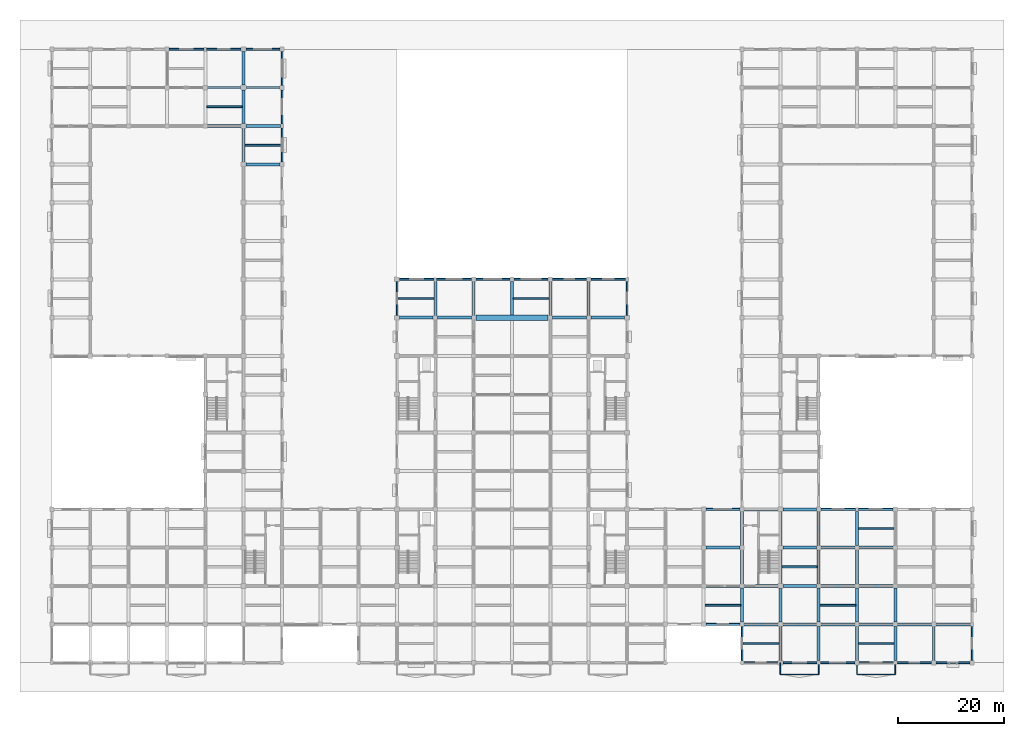
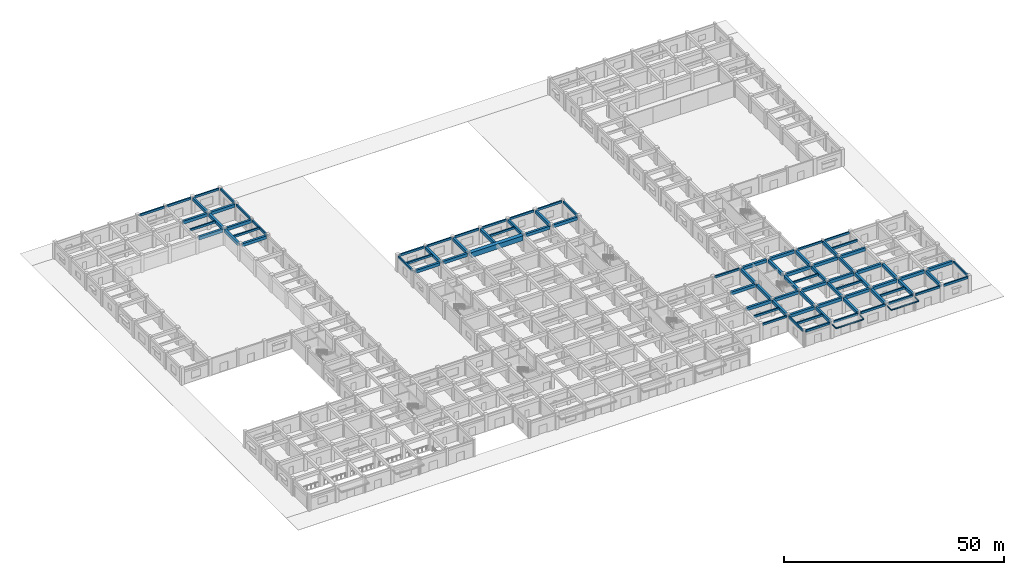
# One storey, part 5 of 37: 95 beams.
"""IFC4 building model written with IfcOpenShell, lengths in metres."""

import ifcopenshell
import ifcopenshell.guid

model = None  # the IFC model being written
_history = None  # IfcOwnerHistory: only IFC2X3 demands one
_inside = {}  # id of a spatial element -> (the spatial element, [elements in it])
_under = {}  # id of a project, library or spatial element -> (it, [spatial elements below it])
_declared = {}  # id of a project -> (the project, [libraries it declares])
_typed = {}  # id of a type object -> (the type object, [elements of that type])
_made_of = {}  # id of a material, layer set ... -> (it, [elements and type objects made of it])


def new_model(schema):
    """Start an empty IFC model of exactly this schema.

    Asked for "IFC4X3", IfcOpenShell would pick the latest addendum, in which some entities
    have other attributes; the version numbers below select the first issue.
    IFC2X3 requires an IfcOwnerHistory on every rooted entity: one is made here for all.
    """
    global model, _history
    if schema == "IFC4X3":
        model = ifcopenshell.file(schema_version=(4, 3, 0, 0))
    else:
        model = ifcopenshell.file(schema=schema)
    _inside.clear()
    _under.clear()
    _declared.clear()
    _typed.clear()
    _made_of.clear()
    _history = None
    if model.schema == "IFC2X3":
        org = make("IfcOrganization", Name="unknown")
        user = make(
            "IfcPersonAndOrganization",
            ThePerson=make("IfcPerson", FamilyName="unknown"),
            TheOrganization=org,
        )
        app = make(
            "IfcApplication",
            ApplicationDeveloper=org,
            Version="unknown",
            ApplicationFullName="unknown",
            ApplicationIdentifier="unknown",
        )
        _history = make(
            "IfcOwnerHistory",
            OwningUser=user,
            OwningApplication=app,
            ChangeAction="ADDED",
            CreationDate=0,
        )
    return model


def make(cls, **values):
    """One entity of the class cls with the attributes given. An attribute that is None is left unset."""
    return model.create_entity(
        cls, **{name: value for name, value in values.items() if value is not None}
    )


def rooted(cls, **values):
    """An entity with a GlobalId (a new one), such as an element, a storey or a relation."""
    return make(cls, GlobalId=ifcopenshell.guid.new(), OwnerHistory=_history, **values)


def si_unit(unit_type, name, prefix=None):
    """IfcSIUnit, for example si_unit("LENGTHUNIT", "METRE", prefix="MILLI")."""
    return make("IfcSIUnit", UnitType=unit_type, Prefix=prefix, Name=name)


def assignment(units):
    """IfcUnitAssignment: the units of a project."""
    return None if units is None else make("IfcUnitAssignment", Units=units)


def point(xyz):
    """IfcCartesianPoint."""
    return None if xyz is None else make("IfcCartesianPoint", Coordinates=xyz)


def direction(xyz):
    """IfcDirection."""
    return None if xyz is None else make("IfcDirection", DirectionRatios=xyz)


def frame(location, z_axis=None, x_axis=None):
    """IfcAxis2Placement3D, a coordinate frame: its origin and axes. An axis left out is left unset."""
    return make(
        "IfcAxis2Placement3D",
        Location=point(location),
        Axis=direction(z_axis),
        RefDirection=direction(x_axis),
    )


def frame_2d(location, x_axis=None):
    """IfcAxis2Placement2D, a coordinate frame in the plane: its origin and x axis."""
    return make(
        "IfcAxis2Placement2D", Location=point(location), RefDirection=direction(x_axis)
    )


def origin():
    """The frame at (0, 0, 0) with its axes left unset."""
    return frame((0.0, 0.0, 0.0))


def origin_2d():
    """The frame at (0, 0) in the plane with its x axis left unset."""
    return frame_2d((0.0, 0.0))


def place(relative_to, where):
    """IfcLocalPlacement: puts the frame where relative to a parent placement (None: the world)."""
    return make(
        "IfcLocalPlacement", PlacementRelTo=relative_to, RelativePlacement=where
    )


def context(
    kind, dimensions, precision=None, world=None, true_north=None, identifier=None
):
    """IfcGeometricRepresentationContext, for example the 3D "Model" context."""
    return make(
        "IfcGeometricRepresentationContext",
        ContextIdentifier=identifier,
        ContextType=kind,
        CoordinateSpaceDimension=dimensions,
        Precision=precision,
        WorldCoordinateSystem=world,
        TrueNorth=true_north,
    )


def subcontext(parent, identifier, kind, view, scale=None):
    """IfcGeometricRepresentationSubContext, for example "Body" below "Model"."""
    return make(
        "IfcGeometricRepresentationSubContext",
        ContextIdentifier=identifier,
        ContextType=kind,
        ParentContext=parent,
        TargetScale=scale,
        TargetView=view,
    )


def project(units=None, contexts=None):
    """IfcProject with its units and contexts."""
    return rooted(
        "IfcProject",
        Name="project",
        RepresentationContexts=contexts,
        UnitsInContext=assignment(units),
    )


def spatial(cls, under=None, at=None, **own):
    """A site, building, storey or space (cls), placed at a placement, below another one or the project."""
    s = rooted(cls, ObjectPlacement=at, **own)
    if under is not None:
        _under.setdefault(under.id(), (under, []))[1].append(s)
    return s


def profile(cls, at=None, kind="AREA", **sizes):
    """A parametric profile (cls). Its sizes go by their IFC names, for example OverallWidth=200.0."""
    return make(cls, ProfileType=kind, Position=at, **sizes)


def rectangle(**sizes):
    """IfcRectangleProfileDef."""
    return profile("IfcRectangleProfileDef", **sizes)


def i_section(**sizes):
    """IfcIShapeProfileDef."""
    return profile("IfcIShapeProfileDef", **sizes)


def extrude(swept, where, along, depth):
    """IfcExtrudedAreaSolid: the profile swept, set in the frame where, extruded along a direction by depth."""
    return make(
        "IfcExtrudedAreaSolid",
        SweptArea=swept,
        Position=where,
        ExtrudedDirection=direction(along),
        Depth=depth,
    )


def shape(context_of_items, identifier, shape_type, items):
    """IfcShapeRepresentation: the items that make up one representation, for example the "Body"."""
    return make(
        "IfcShapeRepresentation",
        ContextOfItems=context_of_items,
        RepresentationIdentifier=identifier,
        RepresentationType=shape_type,
        Items=items,
    )


def material(Name=None, Category=None):
    """IfcMaterial."""
    return make("IfcMaterial", Name=Name, Category=Category)


def material_profile(
    of_material, cross_section, Name=None, Category=None, Priority=None
):
    """IfcMaterialProfile: a cross section and its material."""
    return make(
        "IfcMaterialProfile",
        Name=Name,
        Material=of_material,
        Profile=cross_section,
        Priority=Priority,
        Category=Category,
    )


def profile_set(profiles, Name=None, composite=None):
    """IfcMaterialProfileSet."""
    return make(
        "IfcMaterialProfileSet",
        Name=Name,
        MaterialProfiles=profiles,
        CompositeProfile=composite,
    )


def made_of(thing, what):
    """Note that an element or type object is made of a material, layer set ...; save() writes the relation."""
    if what is not None:
        _made_of.setdefault(what.id(), (what, []))[1].append(thing)
    return thing


def type_object(cls, material=None, **own):
    """A type object (cls), such as IfcWallType, which elements share."""
    return made_of(rooted(cls, **own), material)


def element(
    cls,
    number,
    at=None,
    inside=None,
    cuts=None,
    type_object=None,
    material=None,
    context=None,
    identifier="Body",
    shape_type=None,
    held_by="IfcProductDefinitionShape",
    body=None,
    shapes=None,
    **own,
):
    """One element of the class cls, such as IfcWall. Its Tag is "e" and its number.

    at: its placement. inside: the storey or other place that contains it. cuts: it is an
    opening in that element (IfcRelVoidsElement). A single representation is given by context,
    identifier, shape_type and body (its items); several are given by shapes. held_by: the class
    of the entity that holds the representations. save() writes the other relations.
    """
    e = rooted(cls, Tag="e%d" % number, ObjectPlacement=at, **own)
    if body is not None:
        shapes = [shape(context, identifier, shape_type, body)]
    if shapes is not None:
        e.Representation = make(held_by, Representations=shapes)
    if inside is not None:
        _inside.setdefault(inside.id(), (inside, []))[1].append(e)
    if cuts is not None:
        rooted(
            "IfcRelVoidsElement", RelatingBuildingElement=cuts, RelatedOpeningElement=e
        )
    if type_object is not None:
        _typed.setdefault(type_object.id(), (type_object, []))[1].append(e)
    return made_of(e, material)


def aggregate(whole, parts):
    """IfcRelAggregates: a whole, such as a stair, and the parts it consists of."""
    return rooted("IfcRelAggregates", RelatingObject=whole, RelatedObjects=parts)


def save(model, path):
    """Write the relations noted so far, then the file.

    IfcRelAggregates (storeys below a building ...), IfcRelContainedInSpatialStructure (elements
    in a storey), IfcRelDefinesByType, IfcRelAssociatesMaterial and IfcRelDeclares: one each for
    every whole, place, type object, material and project.
    """
    for whole, parts in _under.values():
        aggregate(whole, parts)
    for where, things in _inside.values():
        rooted(
            "IfcRelContainedInSpatialStructure",
            RelatedElements=things,
            RelatingStructure=where,
        )
    for kind, things in _typed.values():
        rooted("IfcRelDefinesByType", RelatedObjects=things, RelatingType=kind)
    for what, things in _made_of.values():
        rooted("IfcRelAssociatesMaterial", RelatedObjects=things, RelatingMaterial=what)
    for by, libraries in _declared.values():
        rooted("IfcRelDeclares", RelatingContext=by, RelatedDefinitions=libraries)
    model.write(path)


model = new_model("IFC4")

# Units and contexts
model_context = context("Model", 3, precision=1e-05, world=origin(), true_north=direction((0.0, 1.0)))
body_context = subcontext(model_context, "Body", "Model", "MODEL_VIEW")
ifc_project = project(units=[si_unit("LENGTHUNIT", "METRE"), si_unit("AREAUNIT", "SQUARE_METRE"), si_unit("VOLUMEUNIT", "CUBIC_METRE"), si_unit("PLANEANGLEUNIT", "RADIAN"), si_unit("MASSUNIT", "GRAM", prefix="KILO")], contexts=[model_context])

# Site, building, storey
site_placement = place(None, origin())
site = spatial("IfcSite", under=ifc_project, at=site_placement, CompositionType="ELEMENT")
building_placement = place(site_placement, origin())
building = spatial("IfcBuilding", under=site, at=building_placement, Name="Cendaluz Park School", CompositionType="ELEMENT")
storey_placement = place(building_placement, origin())
storey = spatial("IfcBuildingStorey", under=building, at=storey_placement, Name="L00", CompositionType="ELEMENT", Elevation=0.0)

# Beams
ifc_material_1 = material(Name="Concrete C40/50", Category="concrete")
ifc_material_profile_1 = material_profile(ifc_material_1, rectangle(XDim=0.550048828125, YDim=0.85009765625, at=origin_2d()), Name="RC 550x850", Category="concrete")
ifc_profile_set_1 = profile_set([ifc_material_profile_1], Name="Concrete C40/50")
beam_type_1 = type_object("IfcBeamType", Name="BM-RC01", PredefinedType="BEAM", material=ifc_profile_set_1)
for number, where, z_axis, x_axis, name in (
    (1, (29.199951171875, 100.800048828125, 4.044921875), (1.0, 0.0, 0.0), (0.0, 1.0, 0.0), "BM-L00-BMRC01-0047"),
    (2, (29.199951171875, 108.0, 4.044921875), (1.0, 0.0, 0.0), (0.0, 1.0, 0.0), "BM-L00-BMRC01-0048"),
    (3, (36.449951171875, 93.60009765625, 4.044921875), (1.0, 0.0, 0.0), (0.0, 1.0, 0.0), "BM-L00-BMRC01-0062"),
):
    element("IfcBeam", number, at=place(storey_placement, frame(where, z_axis=z_axis, x_axis=x_axis)), inside=storey, type_object=beam_type_1, Name=name, PredefinedType="BEAM", context=body_context, shape_type="SweptSolid", body=[
        extrude(rectangle(XDim=0.550048828125, YDim=0.85009765625, at=origin_2d()), origin(), (0.0, 0.0, 1.0), 6.35009765625),
    ])
beam_1_placement = place(storey_placement, frame((36.449951171875, 100.800048828125, 4.044921875), z_axis=(1.0, 0.0, 0.0), x_axis=(0.0, 1.0, 0.0)))
element("IfcBeam", 4, at=beam_1_placement, inside=storey, type_object=beam_type_1, Name="BM-L00-BMRC01-0063", PredefinedType="BEAM", context=body_context, shape_type="SweptSolid", body=[
    extrude(rectangle(XDim=0.550048828125, YDim=0.85009765625, at=origin_2d()), origin(), (0.0, 0.0, 1.0), 6.5),
])
for number, where, z_axis, x_axis, name in (
    (5, (36.449951171875, 108.0, 4.044921875), (1.0, 0.0, 0.0), (0.0, 1.0, 0.0), "BM-L00-BMRC01-0064"),
    (6, (65.25, 64.800048828125, 4.044921875), (1.0, 0.0, 0.0), (0.0, 1.0, 0.0), "BM-L00-BMRC01-0086"),
):
    element("IfcBeam", number, at=place(storey_placement, frame(where, z_axis=z_axis, x_axis=x_axis)), inside=storey, type_object=beam_type_1, Name=name, PredefinedType="BEAM", context=body_context, shape_type="SweptSolid", body=[
        extrude(rectangle(XDim=0.550048828125, YDim=0.85009765625, at=origin_2d()), origin(), (0.0, 0.0, 1.0), 6.35009765625),
    ])
beam_2_placement = place(storey_placement, frame((72.39990234375, 64.800048828125, 4.044921875), z_axis=(1.0, 0.0, 0.0), x_axis=(0.0, 1.0, 0.0)))
element("IfcBeam", 7, at=beam_2_placement, inside=storey, type_object=beam_type_1, Name="BM-L00-BMRC01-0097", PredefinedType="BEAM", context=body_context, shape_type="SweptSolid", body=[
    extrude(rectangle(XDim=0.550048828125, YDim=0.85009765625, at=origin_2d()), origin(), (0.0, 0.0, 1.0), 6.400146484375),
])
beam_3_placement = place(storey_placement, frame((94.0, 64.800048828125, 4.044921875), z_axis=(1.0, 0.0, 0.0), x_axis=(0.0, 1.0, 0.0)))
element("IfcBeam", 8, at=beam_3_placement, inside=storey, type_object=beam_type_1, Name="BM-L00-BMRC01-0128", PredefinedType="BEAM", context=body_context, shape_type="SweptSolid", body=[
    extrude(rectangle(XDim=0.550048828125, YDim=0.85009765625, at=origin_2d()), origin(), (0.0, 0.0, 1.0), 6.35009765625),
])
beam_4_placement = place(storey_placement, frame((101.25, 64.800048828125, 4.044921875), z_axis=(1.0, 0.0, 0.0), x_axis=(0.0, 1.0, 0.0)))
element("IfcBeam", 9, at=beam_4_placement, inside=storey, type_object=beam_type_1, Name="BM-L00-BMRC01-0137", PredefinedType="BEAM", context=body_context, shape_type="SweptSolid", body=[
    extrude(rectangle(XDim=0.550048828125, YDim=0.85009765625, at=origin_2d()), origin(), (0.0, 0.0, 1.0), 6.300048828125),
])
for number, where, z_axis, x_axis, name in (
    (10, (122.800048828125, 14.39990234375, 4.044921875), (1.0, 0.0, 0.0), (0.0, 1.0, 0.0), "BM-L00-BMRC01-0149"),
    (11, (122.800048828125, 21.60009765625, 4.044921875), (1.0, 0.0, 0.0), (0.0, 1.0, 0.0), "BM-L00-BMRC01-0150"),
):
    element("IfcBeam", number, at=place(storey_placement, frame(where, z_axis=z_axis, x_axis=x_axis)), inside=storey, type_object=beam_type_1, Name=name, PredefinedType="BEAM", context=body_context, shape_type="SweptSolid", body=[
        extrude(rectangle(XDim=0.550048828125, YDim=0.85009765625, at=origin_2d()), origin(), (0.0, 0.0, 1.0), 6.39990234375),
    ])
for number, where, z_axis, x_axis, name in (
    (12, (130.0, 7.199951171875, 4.044921875), (1.0, 0.0, 0.0), (0.0, 1.0, 0.0), "BM-L00-BMRC01-0153"),
    (13, (130.0, 14.39990234375, 4.044921875), (1.0, 0.0, 0.0), (0.0, 1.0, 0.0), "BM-L00-BMRC01-0154"),
    (14, (130.0, 28.800048828125, 4.044921875), (1.0, 0.0, 0.0), (0.0, 1.0, 0.0), "BM-L00-BMRC01-0155"),
    (15, (137.25, 7.199951171875, 4.044921875), (1.0, 0.0, 0.0), (0.0, 1.0, 0.0), "BM-L00-BMRC01-0169"),
    (16, (137.25, 14.39990234375, 4.044921875), (1.0, 0.0, 0.0), (0.0, 1.0, 0.0), "BM-L00-BMRC01-0170"),
    (17, (137.25, 21.60009765625, 4.044921875), (1.0, 0.0, 0.0), (0.0, 1.0, 0.0), "BM-L00-BMRC01-0171"),
    (18, (137.25, 28.800048828125, 4.044921875), (1.0, 0.0, 0.0), (0.0, 1.0, 0.0), "BM-L00-BMRC01-0172"),
):
    element("IfcBeam", number, at=place(storey_placement, frame(where, z_axis=z_axis, x_axis=x_axis)), inside=storey, type_object=beam_type_1, Name=name, PredefinedType="BEAM", context=body_context, shape_type="SweptSolid", body=[
        extrude(rectangle(XDim=0.550048828125, YDim=0.85009765625, at=origin_2d()), origin(), (0.0, 0.0, 1.0), 6.35009765625),
    ])
for number, where, z_axis, x_axis, name in (
    (19, (144.39990234375, 7.199951171875, 4.044921875), (1.0, 0.0, 0.0), (0.0, 1.0, 0.0), "BM-L00-BMRC01-0180"),
    (20, (144.39990234375, 14.39990234375, 4.044921875), (1.0, 0.0, 0.0), (0.0, 1.0, 0.0), "BM-L00-BMRC01-0181"),
    (21, (144.39990234375, 21.60009765625, 4.044921875), (1.0, 0.0, 0.0), (0.0, 1.0, 0.0), "BM-L00-BMRC01-0182"),
):
    element("IfcBeam", number, at=place(storey_placement, frame(where, z_axis=z_axis, x_axis=x_axis)), inside=storey, type_object=beam_type_1, Name=name, PredefinedType="BEAM", context=body_context, shape_type="SweptSolid", body=[
        extrude(rectangle(XDim=0.550048828125, YDim=0.85009765625, at=origin_2d()), origin(), (0.0, 0.0, 1.0), 6.400146484375),
    ])
for number, where, z_axis, x_axis, name in (
    (22, (151.60009765625, 7.199951171875, 4.044921875), (1.0, 0.0, 0.0), (0.0, 1.0, 0.0), "BM-L00-BMRC01-0188"),
    (23, (151.60009765625, 14.39990234375, 4.044921875), (1.0, 0.0, 0.0), (0.0, 1.0, 0.0), "BM-L00-BMRC01-0189"),
    (24, (151.60009765625, 21.60009765625, 4.044921875), (1.0, 0.0, 0.0), (0.0, 1.0, 0.0), "BM-L00-BMRC01-0190"),
):
    element("IfcBeam", number, at=place(storey_placement, frame(where, z_axis=z_axis, x_axis=x_axis)), inside=storey, type_object=beam_type_1, Name=name, PredefinedType="BEAM", context=body_context, shape_type="SweptSolid", body=[
        extrude(rectangle(XDim=0.550048828125, YDim=0.85009765625, at=origin_2d()), origin(), (0.0, 0.0, 1.0), 6.39990234375),
    ])
beam_5_placement = place(storey_placement, frame((158.800048828125, 7.199951171875, 4.044921875), z_axis=(1.0, 0.0, 0.0), x_axis=(0.0, 1.0, 0.0)))
element("IfcBeam", 25, at=beam_5_placement, inside=storey, type_object=beam_type_1, Name="BM-L00-BMRC01-0196", PredefinedType="BEAM", context=body_context, shape_type="SweptSolid", body=[
    extrude(rectangle(XDim=0.550048828125, YDim=0.85009765625, at=origin_2d()), origin(), (0.0, 0.0, 1.0), 6.349853515625),
])
beam_6_placement = place(storey_placement, frame((166.050048828125, 7.199951171875, 4.044921875), z_axis=(1.0, 0.0, 0.0), x_axis=(0.0, 1.0, 0.0)))
element("IfcBeam", 26, at=beam_6_placement, inside=storey, type_object=beam_type_1, Name="BM-L00-BMRC01-0204", PredefinedType="BEAM", context=body_context, shape_type="SweptSolid", body=[
    extrude(rectangle(XDim=0.550048828125, YDim=0.85009765625, at=origin_2d()), origin(), (0.0, 0.0, 1.0), 6.5),
])
for number, where, z_axis, x_axis, name in (
    (27, (36.0, 94.050048828125, 4.044921875), (0.0, 1.0, 0.0), (-1.0, 0.0, 0.0), "BM-L00-BMRC01-0276"),
    (28, (36.0, 101.25, 4.044921875), (0.0, 1.0, 0.0), (-1.0, 0.0, 0.0), "BM-L00-BMRC01-0277"),
    (29, (36.0, 108.449951171875, 4.044921875), (0.0, 1.0, 0.0), (-1.0, 0.0, 0.0), "BM-L00-BMRC01-0278"),
):
    element("IfcBeam", number, at=place(storey_placement, frame(where, z_axis=z_axis, x_axis=x_axis)), inside=storey, type_object=beam_type_1, Name=name, PredefinedType="BEAM", context=body_context, shape_type="SweptSolid", body=[
        extrude(rectangle(XDim=0.550048828125, YDim=0.85009765625, at=origin_2d()), origin(), (0.0, 0.0, 1.0), 6.300048828125),
    ])
beam_7_placement = place(storey_placement, frame((72.0, 65.199951171875, 4.044921875), z_axis=(0.0, 1.0, 0.0), x_axis=(-1.0, 0.0, 0.0)))
element("IfcBeam", 30, at=beam_7_placement, inside=storey, type_object=beam_type_1, Name="BM-L00-BMRC01-0321", PredefinedType="BEAM", context=body_context, shape_type="SweptSolid", body=[
    extrude(rectangle(XDim=0.550048828125, YDim=0.85009765625, at=origin_2d()), origin(), (0.0, 0.0, 1.0), 6.425048828125),
])
for number, where, z_axis, x_axis, name in (
    (31, (79.199951171875, 65.199951171875, 4.044921875), (0.0, 1.0, 0.0), (-1.0, 0.0, 0.0), "BM-L00-BMRC01-0331"),
    (32, (93.60009765625, 65.199951171875, 4.044921875), (0.0, 1.0, 0.0), (-1.0, 0.0, 0.0), "BM-L00-BMRC01-0349"),
):
    element("IfcBeam", number, at=place(storey_placement, frame(where, z_axis=z_axis, x_axis=x_axis)), inside=storey, type_object=beam_type_1, Name=name, PredefinedType="BEAM", context=body_context, shape_type="SweptSolid", body=[
        extrude(rectangle(XDim=0.550048828125, YDim=0.85009765625, at=origin_2d()), origin(), (0.0, 0.0, 1.0), 6.400146484375),
    ])
beam_8_placement = place(storey_placement, frame((100.800048828125, 65.25, 4.044921875), z_axis=(0.0, 1.0, 0.0), x_axis=(-1.0, 0.0, 0.0)))
element("IfcBeam", 33, at=beam_8_placement, inside=storey, type_object=beam_type_1, Name="BM-L00-BMRC01-0359", PredefinedType="BEAM", context=body_context, shape_type="SweptSolid", body=[
    extrude(rectangle(XDim=0.550048828125, YDim=0.85009765625, at=origin_2d()), origin(), (0.0, 0.0, 1.0), 6.300048828125),
])
for number, where, z_axis, x_axis, name in (
    (34, (129.60009765625, 7.60009765625, 4.044921875), (0.0, 1.0, 0.0), (-1.0, 0.0, 0.0), "BM-L00-BMRC01-0378"),
    (35, (129.60009765625, 14.800048828125, 4.044921875), (0.0, 1.0, 0.0), (-1.0, 0.0, 0.0), "BM-L00-BMRC01-0379"),
    (36, (129.60009765625, 22.0, 4.044921875), (0.0, 1.0, 0.0), (-1.0, 0.0, 0.0), "BM-L00-BMRC01-0380"),
):
    element("IfcBeam", number, at=place(storey_placement, frame(where, z_axis=z_axis, x_axis=x_axis)), inside=storey, type_object=beam_type_1, Name=name, PredefinedType="BEAM", context=body_context, shape_type="SweptSolid", body=[
        extrude(rectangle(XDim=0.550048828125, YDim=0.85009765625, at=origin_2d()), origin(), (0.0, 0.0, 1.0), 6.39990234375),
    ])
for number, where, z_axis, x_axis, name in (
    (37, (136.800048828125, 0.449951171875, 4.044921875), (0.0, 1.0, 0.0), (-1.0, 0.0, 0.0), "BM-L00-BMRC01-0393"),
    (38, (136.800048828125, 7.64990234375, 4.044921875), (0.0, 1.0, 0.0), (-1.0, 0.0, 0.0), "BM-L00-BMRC01-0394"),
):
    element("IfcBeam", number, at=place(storey_placement, frame(where, z_axis=z_axis, x_axis=x_axis)), inside=storey, type_object=beam_type_1, Name=name, PredefinedType="BEAM", context=body_context, shape_type="SweptSolid", body=[
        extrude(rectangle(XDim=0.550048828125, YDim=0.85009765625, at=origin_2d()), origin(), (0.0, 0.0, 1.0), 6.300048828125),
    ])
beam_9_placement = place(storey_placement, frame((136.800048828125, 14.85009765625, 4.044921875), z_axis=(0.0, 1.0, 0.0), x_axis=(-1.0, 0.0, 0.0)))
element("IfcBeam", 39, at=beam_9_placement, inside=storey, type_object=beam_type_1, Name="BM-L00-BMRC01-0395", PredefinedType="BEAM", context=body_context, shape_type="SweptSolid", body=[
    extrude(rectangle(XDim=0.550048828125, YDim=0.85009765625, at=origin_2d()), origin(), (0.0, 0.0, 1.0), 6.2998046875),
])
beam_10_placement = place(storey_placement, frame((136.800048828125, 22.050048828125, 4.044921875), z_axis=(0.0, 1.0, 0.0), x_axis=(-1.0, 0.0, 0.0)))
element("IfcBeam", 40, at=beam_10_placement, inside=storey, type_object=beam_type_1, Name="BM-L00-BMRC01-0396", PredefinedType="BEAM", context=body_context, shape_type="SweptSolid", body=[
    extrude(rectangle(XDim=0.550048828125, YDim=0.85009765625, at=origin_2d()), origin(), (0.0, 0.0, 1.0), 6.300048828125),
])
beam_11_placement = place(storey_placement, frame((144.0, 0.375, 4.044921875), z_axis=(0.0, 1.0, 0.0), x_axis=(-1.0, 0.0, 0.0)))
element("IfcBeam", 41, at=beam_11_placement, inside=storey, type_object=beam_type_1, Name="BM-L00-BMRC01-0409", PredefinedType="BEAM", context=body_context, shape_type="SweptSolid", body=[
    extrude(rectangle(XDim=0.550048828125, YDim=0.85009765625, at=origin_2d()), origin(), (0.0, 0.0, 1.0), 6.425048828125),
])
for number, where, z_axis, x_axis, name in (
    (42, (144.0, 7.60009765625, 4.044921875), (0.0, 1.0, 0.0), (-1.0, 0.0, 0.0), "BM-L00-BMRC01-0410"),
    (43, (144.0, 14.800048828125, 4.044921875), (0.0, 1.0, 0.0), (-1.0, 0.0, 0.0), "BM-L00-BMRC01-0411"),
    (44, (144.0, 22.0, 4.044921875), (0.0, 1.0, 0.0), (-1.0, 0.0, 0.0), "BM-L00-BMRC01-0412"),
):
    element("IfcBeam", number, at=place(storey_placement, frame(where, z_axis=z_axis, x_axis=x_axis)), inside=storey, type_object=beam_type_1, Name=name, PredefinedType="BEAM", context=body_context, shape_type="SweptSolid", body=[
        extrude(rectangle(XDim=0.550048828125, YDim=0.85009765625, at=origin_2d()), origin(), (0.0, 0.0, 1.0), 6.39990234375),
    ])
beam_12_placement = place(storey_placement, frame((151.199951171875, 0.39990234375, 4.044921875), z_axis=(0.0, 1.0, 0.0), x_axis=(-1.0, 0.0, 0.0)))
element("IfcBeam", 45, at=beam_12_placement, inside=storey, type_object=beam_type_1, Name="BM-L00-BMRC01-0419", PredefinedType="BEAM", context=body_context, shape_type="SweptSolid", body=[
    extrude(rectangle(XDim=0.550048828125, YDim=0.85009765625, at=origin_2d()), origin(), (0.0, 0.0, 1.0), 6.400146484375),
])
for number, where, z_axis, x_axis, name in (
    (46, (151.199951171875, 7.60009765625, 4.044921875), (0.0, 1.0, 0.0), (-1.0, 0.0, 0.0), "BM-L00-BMRC01-0420"),
    (47, (151.199951171875, 14.800048828125, 4.044921875), (0.0, 1.0, 0.0), (-1.0, 0.0, 0.0), "BM-L00-BMRC01-0421"),
):
    element("IfcBeam", number, at=place(storey_placement, frame(where, z_axis=z_axis, x_axis=x_axis)), inside=storey, type_object=beam_type_1, Name=name, PredefinedType="BEAM", context=body_context, shape_type="SweptSolid", body=[
        extrude(rectangle(XDim=0.550048828125, YDim=0.85009765625, at=origin_2d()), origin(), (0.0, 0.0, 1.0), 6.39990234375),
    ])
for number, where, z_axis, x_axis, name in (
    (48, (151.199951171875, 22.0, 4.044921875), (0.0, 1.0, 0.0), (-1.0, 0.0, 0.0), "BM-L00-BMRC01-0422"),
    (49, (158.39990234375, 0.375, 4.044921875), (0.0, 1.0, 0.0), (-1.0, 0.0, 0.0), "BM-L00-BMRC01-0425"),
):
    element("IfcBeam", number, at=place(storey_placement, frame(where, z_axis=z_axis, x_axis=x_axis)), inside=storey, type_object=beam_type_1, Name=name, PredefinedType="BEAM", context=body_context, shape_type="SweptSolid", body=[
        extrude(rectangle(XDim=0.550048828125, YDim=0.85009765625, at=origin_2d()), origin(), (0.0, 0.0, 1.0), 6.425048828125),
    ])
beam_13_placement = place(storey_placement, frame((158.39990234375, 7.60009765625, 4.044921875), z_axis=(0.0, 1.0, 0.0), x_axis=(-1.0, 0.0, 0.0)))
element("IfcBeam", 50, at=beam_13_placement, inside=storey, type_object=beam_type_1, Name="BM-L00-BMRC01-0426", PredefinedType="BEAM", context=body_context, shape_type="SweptSolid", body=[
    extrude(rectangle(XDim=0.550048828125, YDim=0.85009765625, at=origin_2d()), origin(), (0.0, 0.0, 1.0), 6.39990234375),
])
for number, where, z_axis, x_axis, name in (
    (51, (165.60009765625, 0.449951171875, 4.044921875), (0.0, 1.0, 0.0), (-1.0, 0.0, 0.0), "BM-L00-BMRC01-0431"),
    (52, (86.39990234375, 65.300048828125, 4.044921875), (0.0, 1.0, 0.0), (-1.0, 0.0, 0.0), "BM-L00-BMRC01-0457"),
):
    element("IfcBeam", number, at=place(storey_placement, frame(where, z_axis=z_axis, x_axis=x_axis)), inside=storey, type_object=beam_type_1, Name=name, PredefinedType="BEAM", context=body_context, shape_type="SweptSolid", body=[
        extrude(rectangle(XDim=0.550048828125, YDim=0.85009765625, at=origin_2d()), origin(), (0.0, 0.0, 1.0), 6.300048828125),
    ])
ifc_material_profile_2 = material_profile(ifc_material_1, rectangle(XDim=0.35009765625, YDim=0.580078125, at=origin_2d()), Name="RC 350x580", Category="concrete")
ifc_profile_set_2 = profile_set([ifc_material_profile_2], Name="Concrete C40/50")
beam_type_2 = type_object("IfcBeamType", Name="BM-RC04", PredefinedType="LINTEL", material=ifc_profile_set_2)
beam_14_placement = place(storey_placement, frame((22.0, 115.199951171875, 4.179931640625), z_axis=(1.0, 0.0, 0.0), x_axis=(0.0, 1.0, 0.0)))
element("IfcBeam", 53, at=beam_14_placement, inside=storey, type_object=beam_type_2, Name="BM-L00-BMRC04-0038", PredefinedType="LINTEL", context=body_context, shape_type="SweptSolid", body=[
    extrude(rectangle(XDim=0.35009765625, YDim=0.580078125, at=origin_2d()), origin(), (0.0, 0.0, 1.0), 6.550048828125),
])
beam_15_placement = place(storey_placement, frame((29.050048828125, 115.199951171875, 4.179931640625), z_axis=(1.0, 0.0, 0.0), x_axis=(0.0, 1.0, 0.0)))
element("IfcBeam", 54, at=beam_15_placement, inside=storey, type_object=beam_type_2, Name="BM-L00-BMRC04-0049", PredefinedType="LINTEL", context=body_context, shape_type="SweptSolid", body=[
    extrude(rectangle(XDim=0.35009765625, YDim=0.580078125, at=origin_2d()), origin(), (0.0, 0.0, 1.0), 6.5),
])
beam_16_placement = place(storey_placement, frame((36.449951171875, 115.199951171875, 4.179931640625), z_axis=(1.0, 0.0, 0.0), x_axis=(0.0, 1.0, 0.0)))
element("IfcBeam", 55, at=beam_16_placement, inside=storey, type_object=beam_type_2, Name="BM-L00-BMRC04-0065", PredefinedType="LINTEL", context=body_context, shape_type="SweptSolid", body=[
    extrude(rectangle(XDim=0.35009765625, YDim=0.580078125, at=origin_2d()), origin(), (0.0, 0.0, 1.0), 6.35009765625),
])
beam_17_placement = place(storey_placement, frame((65.25, 72.0, 4.179931640625), z_axis=(1.0, 0.0, 0.0), x_axis=(0.0, 1.0, 0.0)))
element("IfcBeam", 56, at=beam_17_placement, inside=storey, type_object=beam_type_2, Name="BM-L00-BMRC04-0087", PredefinedType="LINTEL", context=body_context, shape_type="SweptSolid", body=[
    extrude(rectangle(XDim=0.35009765625, YDim=0.580078125, at=origin_2d()), origin(), (0.0, 0.0, 1.0), 6.5),
])
beam_18_placement = place(storey_placement, frame((72.25, 72.0, 4.179931640625), z_axis=(1.0, 0.0, 0.0), x_axis=(0.0, 1.0, 0.0)))
element("IfcBeam", 57, at=beam_18_placement, inside=storey, type_object=beam_type_2, Name="BM-L00-BMRC04-0098", PredefinedType="LINTEL", context=body_context, shape_type="SweptSolid", body=[
    extrude(rectangle(XDim=0.35009765625, YDim=0.580078125, at=origin_2d()), origin(), (0.0, 0.0, 1.0), 6.550048828125),
])
for number, where, z_axis, x_axis, name in (
    (58, (79.60009765625, 72.0, 4.179931640625), (1.0, 0.0, 0.0), (0.0, 1.0, 0.0), "BM-L00-BMRC04-0108"),
    (59, (86.800048828125, 72.0, 4.179931640625), (1.0, 0.0, 0.0), (0.0, 1.0, 0.0), "BM-L00-BMRC04-0118"),
):
    element("IfcBeam", number, at=place(storey_placement, frame(where, z_axis=z_axis, x_axis=x_axis)), inside=storey, type_object=beam_type_2, Name=name, PredefinedType="LINTEL", context=body_context, shape_type="SweptSolid", body=[
        extrude(rectangle(XDim=0.35009765625, YDim=0.580078125, at=origin_2d()), origin(), (0.0, 0.0, 1.0), 6.39990234375),
    ])
beam_19_placement = place(storey_placement, frame((94.0, 72.0, 4.179931640625), z_axis=(1.0, 0.0, 0.0), x_axis=(0.0, 1.0, 0.0)))
element("IfcBeam", 60, at=beam_19_placement, inside=storey, type_object=beam_type_2, Name="BM-L00-BMRC04-0129", PredefinedType="LINTEL", context=body_context, shape_type="SweptSolid", body=[
    extrude(rectangle(XDim=0.35009765625, YDim=0.580078125, at=origin_2d()), origin(), (0.0, 0.0, 1.0), 6.35009765625),
])
beam_20_placement = place(storey_placement, frame((101.25, 72.0, 4.179931640625), z_axis=(1.0, 0.0, 0.0), x_axis=(0.0, 1.0, 0.0)))
element("IfcBeam", 61, at=beam_20_placement, inside=storey, type_object=beam_type_2, Name="BM-L00-BMRC04-0138", PredefinedType="LINTEL", context=body_context, shape_type="SweptSolid", body=[
    extrude(rectangle(XDim=0.35009765625, YDim=0.580078125, at=origin_2d()), origin(), (0.0, 0.0, 1.0), 6.5),
])
for number, where, z_axis, x_axis, name in (
    (62, (122.800048828125, 7.199951171875, 4.179931640625), (1.0, 0.0, 0.0), (0.0, 1.0, 0.0), "BM-L00-BMRC04-0148"),
    (63, (122.800048828125, 28.800048828125, 4.179931640625), (1.0, 0.0, 0.0), (0.0, 1.0, 0.0), "BM-L00-BMRC04-0151"),
):
    element("IfcBeam", number, at=place(storey_placement, frame(where, z_axis=z_axis, x_axis=x_axis)), inside=storey, type_object=beam_type_2, Name=name, PredefinedType="LINTEL", context=body_context, shape_type="SweptSolid", body=[
        extrude(rectangle(XDim=0.35009765625, YDim=0.580078125, at=origin_2d()), origin(), (0.0, 0.0, 1.0), 6.39990234375),
    ])
for number, where, z_axis, x_axis, name in (
    (64, (129.97509765625, 0.0, 4.179931640625), (1.0, 0.0, 0.0), (0.0, 1.0, 0.0), "BM-L00-BMRC04-0152"),
    (65, (137.25, 0.0, 4.179931640625), (1.0, 0.0, 0.0), (0.0, 1.0, 0.0), "BM-L00-BMRC04-0168"),
):
    element("IfcBeam", number, at=place(storey_placement, frame(where, z_axis=z_axis, x_axis=x_axis)), inside=storey, type_object=beam_type_2, Name=name, PredefinedType="LINTEL", context=body_context, shape_type="SweptSolid", body=[
        extrude(rectangle(XDim=0.35009765625, YDim=0.580078125, at=origin_2d()), origin(), (0.0, 0.0, 1.0), 6.375),
    ])
beam_21_placement = place(storey_placement, frame((144.375, 0.0, 4.179931640625), z_axis=(1.0, 0.0, 0.0), x_axis=(0.0, 1.0, 0.0)))
element("IfcBeam", 66, at=beam_21_placement, inside=storey, type_object=beam_type_2, Name="BM-L00-BMRC04-0179", PredefinedType="LINTEL", context=body_context, shape_type="SweptSolid", body=[
    extrude(rectangle(XDim=0.35009765625, YDim=0.580078125, at=origin_2d()), origin(), (0.0, 0.0, 1.0), 6.425048828125),
])
beam_22_placement = place(storey_placement, frame((144.39990234375, 28.800048828125, 4.179931640625), z_axis=(1.0, 0.0, 0.0), x_axis=(0.0, 1.0, 0.0)))
element("IfcBeam", 67, at=beam_22_placement, inside=storey, type_object=beam_type_2, Name="BM-L00-BMRC04-0183", PredefinedType="LINTEL", context=body_context, shape_type="SweptSolid", body=[
    extrude(rectangle(XDim=0.35009765625, YDim=0.580078125, at=origin_2d()), origin(), (0.0, 0.0, 1.0), 6.550048828125),
])
beam_23_placement = place(storey_placement, frame((151.60009765625, 0.0, 4.179931640625), z_axis=(1.0, 0.0, 0.0), x_axis=(0.0, 1.0, 0.0)))
element("IfcBeam", 68, at=beam_23_placement, inside=storey, type_object=beam_type_2, Name="BM-L00-BMRC04-0187", PredefinedType="LINTEL", context=body_context, shape_type="SweptSolid", body=[
    extrude(rectangle(XDim=0.35009765625, YDim=0.580078125, at=origin_2d()), origin(), (0.0, 0.0, 1.0), 6.4248046875),
])
beam_24_placement = place(storey_placement, frame((151.449951171875, 28.800048828125, 4.179931640625), z_axis=(1.0, 0.0, 0.0), x_axis=(0.0, 1.0, 0.0)))
element("IfcBeam", 69, at=beam_24_placement, inside=storey, type_object=beam_type_2, Name="BM-L00-BMRC04-0191", PredefinedType="LINTEL", context=body_context, shape_type="SweptSolid", body=[
    extrude(rectangle(XDim=0.35009765625, YDim=0.580078125, at=origin_2d()), origin(), (0.0, 0.0, 1.0), 6.550048828125),
])
beam_25_placement = place(storey_placement, frame((158.77490234375, 0.0, 4.179931640625), z_axis=(1.0, 0.0, 0.0), x_axis=(0.0, 1.0, 0.0)))
element("IfcBeam", 70, at=beam_25_placement, inside=storey, type_object=beam_type_2, Name="BM-L00-BMRC04-0195", PredefinedType="LINTEL", context=body_context, shape_type="SweptSolid", body=[
    extrude(rectangle(XDim=0.35009765625, YDim=0.580078125, at=origin_2d()), origin(), (0.0, 0.0, 1.0), 6.375),
])
beam_26_placement = place(storey_placement, frame((166.050048828125, 0.0, 4.179931640625), z_axis=(1.0, 0.0, 0.0), x_axis=(0.0, 1.0, 0.0)))
element("IfcBeam", 71, at=beam_26_placement, inside=storey, type_object=beam_type_2, Name="BM-L00-BMRC04-0203", PredefinedType="LINTEL", context=body_context, shape_type="SweptSolid", body=[
    extrude(rectangle(XDim=0.35009765625, YDim=0.580078125, at=origin_2d()), origin(), (0.0, 0.0, 1.0), 6.349853515625),
])
for number, where, z_axis, x_axis, name in (
    (72, (43.199951171875, 94.0, 4.179931640625), (0.0, 1.0, 0.0), (-1.0, 0.0, 0.0), "BM-L00-BMRC04-0292"),
    (73, (43.199951171875, 101.175048828125, 4.179931640625), (0.0, 1.0, 0.0), (-1.0, 0.0, 0.0), "BM-L00-BMRC04-0293"),
):
    element("IfcBeam", number, at=place(storey_placement, frame(where, z_axis=z_axis, x_axis=x_axis)), inside=storey, type_object=beam_type_2, Name=name, PredefinedType="LINTEL", context=body_context, shape_type="SweptSolid", body=[
        extrude(rectangle(XDim=0.35009765625, YDim=0.580078125, at=origin_2d()), origin(), (0.0, 0.0, 1.0), 6.425048828125),
    ])
beam_27_placement = place(storey_placement, frame((43.199951171875, 108.39990234375, 4.179931640625), z_axis=(0.0, 1.0, 0.0), x_axis=(-1.0, 0.0, 0.0)))
element("IfcBeam", 74, at=beam_27_placement, inside=storey, type_object=beam_type_2, Name="BM-L00-BMRC04-0294", PredefinedType="LINTEL", context=body_context, shape_type="SweptSolid", body=[
    extrude(rectangle(XDim=0.35009765625, YDim=0.580078125, at=origin_2d()), origin(), (0.0, 0.0, 1.0), 6.400146484375),
])
beam_28_placement = place(storey_placement, frame((64.800048828125, 65.25, 4.179931640625), z_axis=(0.0, 1.0, 0.0), x_axis=(-1.0, 0.0, 0.0)))
element("IfcBeam", 75, at=beam_28_placement, inside=storey, type_object=beam_type_2, Name="BM-L00-BMRC04-0311", PredefinedType="LINTEL", context=body_context, shape_type="SweptSolid", body=[
    extrude(rectangle(XDim=0.35009765625, YDim=0.580078125, at=origin_2d()), origin(), (0.0, 0.0, 1.0), 6.300048828125),
])
beam_29_placement = place(storey_placement, frame((108.0, 65.25, 4.179931640625), z_axis=(0.0, 1.0, 0.0), x_axis=(-1.0, 0.0, 0.0)))
element("IfcBeam", 76, at=beam_29_placement, inside=storey, type_object=beam_type_2, Name="BM-L00-BMRC04-0369", PredefinedType="LINTEL", context=body_context, shape_type="SweptSolid", body=[
    extrude(rectangle(XDim=0.35009765625, YDim=0.580078125, at=origin_2d()), origin(), (0.0, 0.0, 1.0), 6.375),
])
for number, where, z_axis, x_axis, name in (
    (77, (129.60009765625, 0.375, 4.179931640625), (0.0, 1.0, 0.0), (-1.0, 0.0, 0.0), "BM-L00-BMRC04-0377"),
    (78, (172.800048828125, 0.39990234375, 4.179931640625), (0.0, 1.0, 0.0), (-1.0, 0.0, 0.0), "BM-L00-BMRC04-0443"),
):
    element("IfcBeam", number, at=place(storey_placement, frame(where, z_axis=z_axis, x_axis=x_axis)), inside=storey, type_object=beam_type_2, Name=name, PredefinedType="LINTEL", context=body_context, shape_type="SweptSolid", body=[
        extrude(rectangle(XDim=0.35009765625, YDim=0.580078125, at=origin_2d()), origin(), (0.0, 0.0, 1.0), 6.425048828125),
    ])
ifc_material_2 = material(Name="Steel S355", Category="steel")
ifc_material_profile_3 = material_profile(ifc_material_2, i_section(OverallWidth=0.159912109375, OverallDepth=0.330078125, WebThickness=0.008056640625, FlangeThickness=0.011962890625, FilletRadius=0.01806640625, at=origin_2d()), Name="IPE 330", Category="steel")
ifc_profile_set_3 = profile_set([ifc_material_profile_3], Name="Steel S355")
beam_type_3 = type_object("IfcBeamType", Name="BM-ST08", PredefinedType="LINTEL", material=ifc_profile_set_3)
for number, where, z_axis, x_axis, name in (
    (79, (136.800048828125, 0.0, 3.875), (0.0, -1.0, 0.0), (1.0, 0.0, 0.0), "BM-CN-L00-07-1"),
    (80, (144.0, 0.0, 3.875), (0.0, -1.0, 0.0), (1.0, 0.0, 0.0), "BM-CN-L00-07-2"),
    (81, (151.199951171875, 0.0, 3.875), (0.0, -1.0, 0.0), (1.0, 0.0, 0.0), "BM-CN-L00-08-1"),
    (82, (158.39990234375, 0.0, 3.875), (0.0, -1.0, 0.0), (1.0, 0.0, 0.0), "BM-CN-L00-08-2"),
):
    element("IfcBeam", number, at=place(storey_placement, frame(where, z_axis=z_axis, x_axis=x_axis)), inside=storey, type_object=beam_type_3, Name=name, PredefinedType="LINTEL", context=body_context, shape_type="SweptSolid", body=[
        extrude(i_section(OverallWidth=0.159912109375, OverallDepth=0.330078125, WebThickness=0.008056640625, FlangeThickness=0.011962890625, FilletRadius=0.01806640625, at=origin_2d()), origin(), (0.0, 0.0, 1.0), 2.199951171875),
    ])
ifc_material_profile_4 = material_profile(ifc_material_2, i_section(OverallWidth=0.135009765625, OverallDepth=0.27001953125, WebThickness=0.007080078125, FlangeThickness=0.010009765625, FilletRadius=0.014892578125, at=origin_2d()), Name="IPE 270", Category="steel")
ifc_profile_set_4 = profile_set([ifc_material_profile_4], Name="Steel S355")
beam_type_4 = type_object("IfcBeamType", Name="BM-ST09", PredefinedType="SPANDREL", material=ifc_profile_set_4)
for number, where, z_axis, x_axis, name in (
    (83, (136.800048828125, -2.199951171875, 3.905029296875), (1.0, 0.0, 0.0), (0.0, 1.0, 0.0), "BM-CNT-L00-07"),
    (84, (151.199951171875, -2.199951171875, 3.905029296875), (1.0, 0.0, 0.0), (0.0, 1.0, 0.0), "BM-CNT-L00-08"),
):
    element("IfcBeam", number, at=place(storey_placement, frame(where, z_axis=z_axis, x_axis=x_axis)), inside=storey, type_object=beam_type_4, Name=name, PredefinedType="SPANDREL", context=body_context, shape_type="SweptSolid", body=[
        extrude(i_section(OverallWidth=0.135009765625, OverallDepth=0.27001953125, WebThickness=0.007080078125, FlangeThickness=0.010009765625, FilletRadius=0.014892578125, at=origin_2d()), origin(), (0.0, 0.0, 1.0), 7.199951171875),
    ])
ifc_material_profile_5 = material_profile(ifc_material_1, rectangle(XDim=0.35009765625, YDim=0.580078125, at=origin_2d()), Name="RC 350x580", Category="concrete")
ifc_profile_set_5 = profile_set([ifc_material_profile_5], Name="Concrete C40/50")
beam_type_5 = type_object("IfcBeamType", Name="JT-RC01", PredefinedType="JOIST", material=ifc_profile_set_5)
beam_30_placement = place(storey_placement, frame((29.074951171875, 104.39990234375, 4.179931640625), z_axis=(1.0, 0.0, 0.0), x_axis=(0.0, 1.0, 0.0)))
element("IfcBeam", 85, at=beam_30_placement, inside=storey, type_object=beam_type_5, Name="BM-L00-JTRC01-0469", PredefinedType="JOIST", context=body_context, shape_type="SweptSolid", body=[
    extrude(rectangle(XDim=0.35009765625, YDim=0.580078125, at=origin_2d()), origin(), (0.0, 0.0, 1.0), 6.650146484375),
])
for number, where, z_axis, x_axis, name in (
    (86, (36.27490234375, 97.199951171875, 4.179931640625), (1.0, 0.0, 0.0), (0.0, 1.0, 0.0), "BM-L00-JTRC01-0474"),
    (87, (64.97509765625, 68.39990234375, 4.179931640625), (1.0, 0.0, 0.0), (0.0, 1.0, 0.0), "BM-L00-JTRC01-0479"),
):
    element("IfcBeam", number, at=place(storey_placement, frame(where, z_axis=z_axis, x_axis=x_axis)), inside=storey, type_object=beam_type_5, Name=name, PredefinedType="JOIST", context=body_context, shape_type="SweptSolid", body=[
        extrude(rectangle(XDim=0.35009765625, YDim=0.580078125, at=origin_2d()), origin(), (0.0, 0.0, 1.0), 6.75),
    ])
for number, where, z_axis, x_axis, name in (
    (88, (86.675048828125, 68.39990234375, 4.179931640625), (1.0, 0.0, 0.0), (0.0, 1.0, 0.0), "BM-L00-JTRC01-0489"),
    (89, (122.675048828125, 10.800048828125, 4.179931640625), (1.0, 0.0, 0.0), (0.0, 1.0, 0.0), "BM-L00-JTRC01-0498"),
):
    element("IfcBeam", number, at=place(storey_placement, frame(where, z_axis=z_axis, x_axis=x_axis)), inside=storey, type_object=beam_type_5, Name=name, PredefinedType="JOIST", context=body_context, shape_type="SweptSolid", body=[
        extrude(rectangle(XDim=0.35009765625, YDim=0.580078125, at=origin_2d()), origin(), (0.0, 0.0, 1.0), 6.64990234375),
    ])
beam_31_placement = place(storey_placement, frame((129.77490234375, 3.60009765625, 4.179931640625), z_axis=(1.0, 0.0, 0.0), x_axis=(0.0, 1.0, 0.0)))
element("IfcBeam", 90, at=beam_31_placement, inside=storey, type_object=beam_type_5, Name="BM-L00-JTRC01-0499", PredefinedType="JOIST", context=body_context, shape_type="SweptSolid", body=[
    extrude(rectangle(XDim=0.35009765625, YDim=0.580078125, at=origin_2d()), origin(), (0.0, 0.0, 1.0), 6.75),
])
for number, where, z_axis, x_axis, name in (
    (91, (137.074951171875, 18.0, 4.179931640625), (1.0, 0.0, 0.0), (0.0, 1.0, 0.0), "BM-L00-JTRC01-0504"),
    (92, (144.27490234375, 10.800048828125, 4.179931640625), (1.0, 0.0, 0.0), (0.0, 1.0, 0.0), "BM-L00-JTRC01-0507"),
):
    element("IfcBeam", number, at=place(storey_placement, frame(where, z_axis=z_axis, x_axis=x_axis)), inside=storey, type_object=beam_type_5, Name=name, PredefinedType="JOIST", context=body_context, shape_type="SweptSolid", body=[
        extrude(rectangle(XDim=0.35009765625, YDim=0.580078125, at=origin_2d()), origin(), (0.0, 0.0, 1.0), 6.650146484375),
    ])
for number, where, z_axis, x_axis, name in (
    (93, (151.47509765625, 3.60009765625, 4.179931640625), (1.0, 0.0, 0.0), (0.0, 1.0, 0.0), "BM-L00-JTRC01-0508"),
    (94, (151.47509765625, 25.199951171875, 4.179931640625), (1.0, 0.0, 0.0), (0.0, 1.0, 0.0), "BM-L00-JTRC01-0509"),
):
    element("IfcBeam", number, at=place(storey_placement, frame(where, z_axis=z_axis, x_axis=x_axis)), inside=storey, type_object=beam_type_5, Name=name, PredefinedType="JOIST", context=body_context, shape_type="SweptSolid", body=[
        extrude(rectangle(XDim=0.35009765625, YDim=0.580078125, at=origin_2d()), origin(), (0.0, 0.0, 1.0), 6.64990234375),
    ])
ifc_material_profile_6 = material_profile(ifc_material_1, rectangle(XDim=1.0, YDim=1.360107421875, at=origin_2d()), Name="RC 1000x1360", Category="concrete")
ifc_profile_set_6 = profile_set([ifc_material_profile_6], Name="Concrete C40/50")
beam_type_6 = type_object("IfcBeamType", Name="TG-01", PredefinedType="BEAM", material=ifc_profile_set_6)
beam_32_placement = place(storey_placement, frame((79.60009765625, 64.800048828125, 3.7900390625), z_axis=(1.0, 0.0, 0.0), x_axis=(0.0, 1.0, 0.0)))
element("IfcBeam", 95, at=beam_32_placement, inside=storey, type_object=beam_type_6, Name="Transfer Girder BM-L00-TG01-0455", PredefinedType="BEAM", context=body_context, shape_type="SweptSolid", body=[
    extrude(rectangle(XDim=1.0, YDim=1.360107421875, at=origin_2d()), origin(), (0.0, 0.0, 1.0), 13.599853515625),
])

save(model, "model.ifc")
